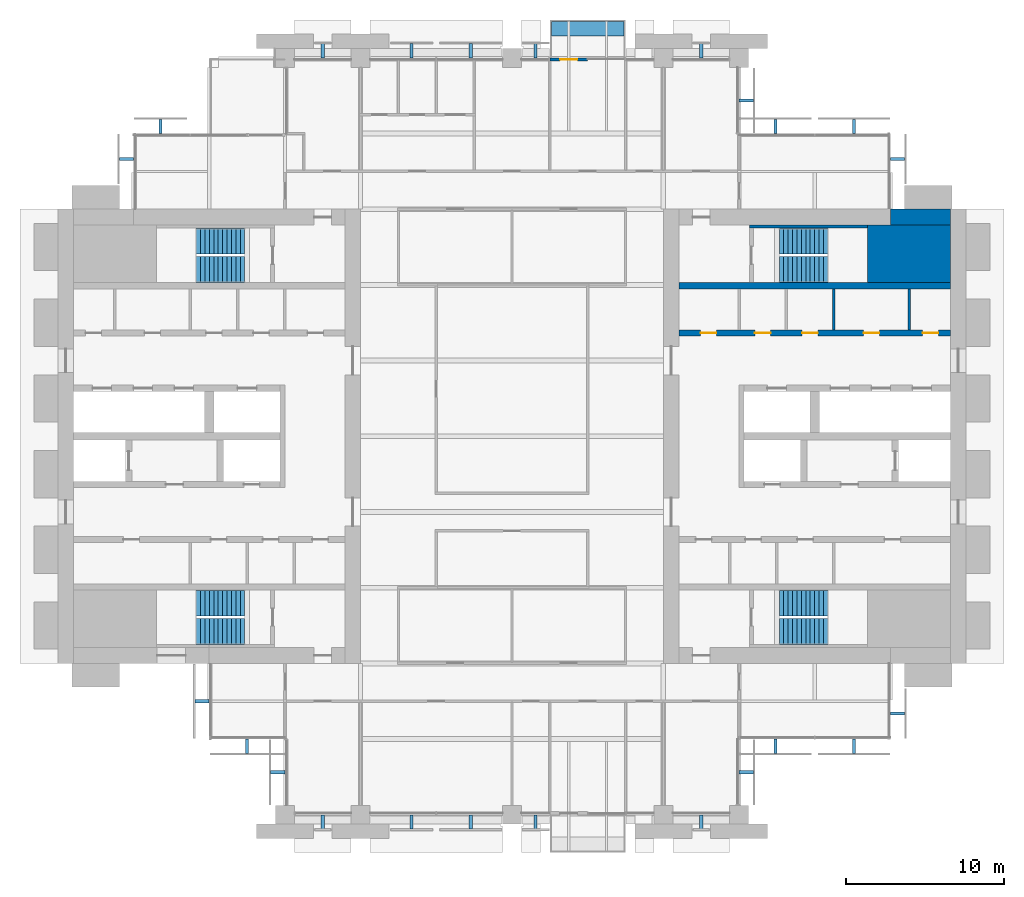
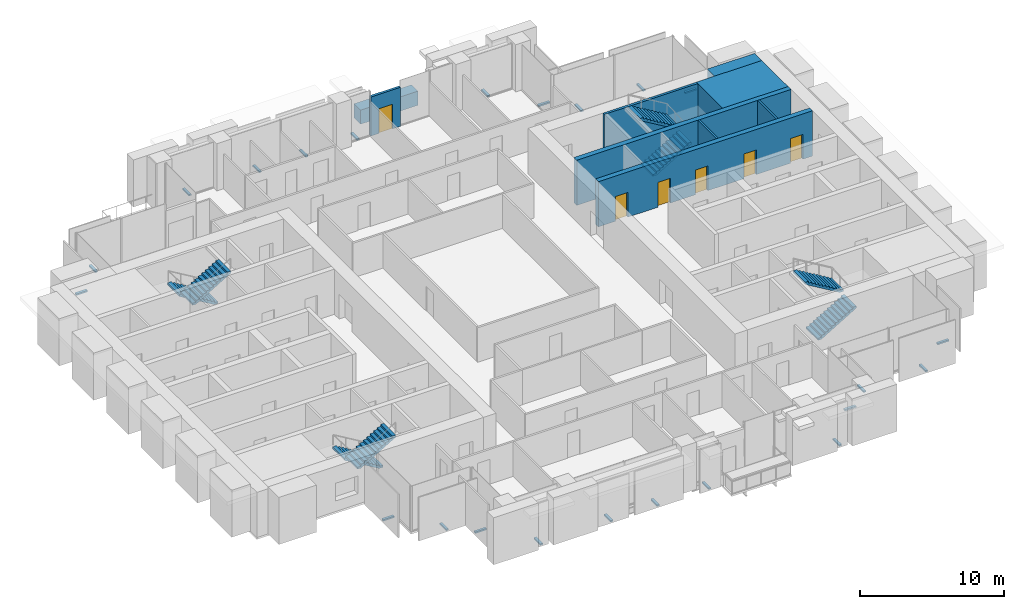
# One storey, part 13 of 15: 23 discrete accessories, 9 walls, 8 stair flights, 6 doors, 6 openings, 4 elements without a shape of their own.
"""IFC4 building model written with IfcOpenShell, lengths in metres."""

from ifc_helpers import new_model, si_unit, direction, frame, frame_2d, origin, origin_2d, place, context, subcontext, project, spatial, polyline, rectangle, outline, extrude, material, layer, layer_set, type_object, element, fill, aggregate, save


model = new_model("IFC4")

# Units and contexts
model_context = context("Model", 3, precision=1e-05, world=origin(), true_north=direction((0.0, 1.0)))
body_context = subcontext(model_context, "Body", "Model", "MODEL_VIEW")
ifc_project = project(units=[si_unit("LENGTHUNIT", "METRE"), si_unit("AREAUNIT", "SQUARE_METRE"), si_unit("VOLUMEUNIT", "CUBIC_METRE"), si_unit("PLANEANGLEUNIT", "RADIAN"), si_unit("MASSUNIT", "GRAM", prefix="KILO")], contexts=[model_context])

# Site, building, storey
site_placement = place(None, origin())
site = spatial("IfcSite", under=ifc_project, at=site_placement, CompositionType="ELEMENT")
building_placement = place(site_placement, origin())
building = spatial("IfcBuilding", under=site, at=building_placement, Name="Baori Bourse Tower", CompositionType="ELEMENT")
storey_placement = place(building_placement, frame((0.0, 0.0, 116.10009765625)))
storey = spatial("IfcBuildingStorey", under=building, at=storey_placement, Name="L24", CompositionType="ELEMENT", Elevation=116.10009765625)

# Walls
ifc_material_1 = material(Name="Concrete f'c 60 MPa", Category="concrete")
wall_type_1 = type_object("IfcWallType", Name="Core corner block f'c 60", PredefinedType="SHEAR", material=ifc_material_1)
wall_1_placement = place(storey_placement, frame((51.35009765625, 35.574951171875, 0.0), z_axis=(0.0, 0.0, 1.0), x_axis=(1.0, 0.0, 0.0)))
element("IfcWall", 1, at=wall_1_placement, inside=storey, type_object=wall_type_1, Name="Core wall E26", PredefinedType="SHEAR", context=body_context, shape_type="SweptSolid", body=[
    extrude(rectangle(XDim=5.25, YDim=3.64990234375, at=frame_2d((2.625, 0.0))), origin(), (0.0, 0.0, 1.0), 3.83984375),
])
ifc_material_2 = material(Name="Blockwork partition", Category="masonry")
ifc_layer_1 = layer(ifc_material_2, 0.14990234375)
ifc_layer_set_1 = layer_set([ifc_layer_1], Name="Core partition 150")
wall_type_2 = type_object("IfcWallType", Name="Core partition 150", PredefinedType="PARTITIONING", material=ifc_layer_set_1)
for number, where, z_axis, x_axis, name in (
    (2, (54.0, 30.75, 0.0), (0.0, 0.0, 1.0), (0.0, 1.0, 0.0), "Partition wall E21"),
    (3, (49.199951171875, 30.75, 0.0), (0.0, 0.0, 1.0), (0.0, 1.0, 0.0), "Partition wall E22"),
):
    element("IfcWall", number, at=place(storey_placement, frame(where, z_axis=z_axis, x_axis=x_axis)), inside=storey, type_object=wall_type_2, Name=name, PredefinedType="PARTITIONING", context=body_context, shape_type="SweptSolid", body=[
        extrude(rectangle(XDim=2.60009765625, YDim=0.14990234375, at=frame_2d((1.300048828125, 0.0))), origin(), (0.0, 0.0, 1.0), 3.83984375),
    ])
ifc_material_3 = material(Name="Concrete f'c 60 MPa", Category="concrete")
ifc_layer_2 = layer(ifc_material_3, 1.0)
ifc_layer_set_2 = layer_set([ifc_layer_2], Name="Core wall 1000 f'c 60")
wall_type_3 = type_object("IfcWallType", Name="Core wall 1000 f'c 60", PredefinedType="SHEAR", material=ifc_layer_set_2)
wall_2_placement = place(storey_placement, frame((52.800048828125, 37.89990234375, 0.0), z_axis=(0.0, 0.0, 1.0), x_axis=(1.0, 0.0, 0.0)))
element("IfcWall", 4, at=wall_2_placement, inside=storey, type_object=wall_type_3, Name="Core wall E29", PredefinedType="SHEAR", context=body_context, shape_type="SweptSolid", body=[
    extrude(rectangle(XDim=3.800048828125, YDim=1.0, at=frame_2d((1.89990234375, 0.0))), origin(), (0.0, 0.0, 1.0), 3.83984375),
])

# Wall, opening, door
ifc_material_4 = material(Name="Pale anodised aluminium", Category="aluminium")
ifc_layer_3 = layer(ifc_material_4, 0.199951171875)
ifc_layer_set_3 = layer_set([ifc_layer_3], Name="EW1 External wall bay")
wall_type_4 = type_object("IfcWallType", Name="EW1 External wall bay", PredefinedType="SOLIDWALL", material=ifc_layer_set_3)
wall_3_placement = place(storey_placement, frame((33.60009765625, 47.89990234375, 0.0), z_axis=(0.0, 0.0, 1.0), x_axis=(-1.0, 0.0, 0.0)))
wall_3 = element("IfcWall", 5, at=wall_3_placement, inside=storey, type_object=wall_type_4, Name="External wall bay L24 1", PredefinedType="SOLIDWALL", context=body_context, shape_type="SweptSolid", body=[
    extrude(rectangle(XDim=2.400146484375, YDim=0.199951171875, at=frame_2d((1.2001953125, 0.0))), origin(), (0.0, 0.0, 1.0), 3.314208984375),
])
opening_1_placement = place(wall_3_placement, frame((0.64990234375, 0.0, 0.0)))
opening_1 = element("IfcOpeningElement", 6, at=opening_1_placement, cuts=wall_3, Name="Opening L24-D91", PredefinedType="OPENING", context=body_context, shape_type="SweptSolid", body=[
    extrude(rectangle(XDim=1.10009765625, YDim=2.10009765625, at=frame_2d((0.550048828125, 1.050048828125))), frame((0.0, 0.10986328125, 0.0), z_axis=(0.0, -1.0, 0.0), x_axis=(1.0, 0.0, 0.0)), (0.0, 0.0, 1.0), 0.219970703125),
])
ifc_material_5 = material(Name="Pale anodised aluminium", Category="aluminium")
door_type_1 = type_object("IfcDoorType", Name="BL1 Balcony door", OperationType="SINGLE_SWING_LEFT", PredefinedType="DOOR", material=ifc_material_5)
door_1_placement = place(opening_1_placement, origin())
door_1 = element("IfcDoor", 7, at=door_1_placement, inside=storey, type_object=door_type_1, Name="Balcony door L24 1", OperationType="SINGLE_SWING_LEFT", OverallHeight=2.10009765625, OverallWidth=1.10009765625, PredefinedType="DOOR", context=body_context, shape_type="SweptSolid", body=[
    extrude(rectangle(XDim=1.10009765625, YDim=2.10009765625, at=frame_2d((0.550048828125, 1.050048828125))), frame((0.0, 0.02490234375, 0.0), z_axis=(0.0, -1.0, 0.0), x_axis=(1.0, 0.0, 0.0)), (0.0, 0.0, 1.0), 0.050048828125),
])
fill(opening_1, door_1)

# Walls
ifc_material_6 = material(Name="Concrete f'c 40 MPa", Category="concrete")
ifc_layer_4 = layer(ifc_material_6, 0.89990234375)
ifc_layer_set_4 = layer_set([ifc_layer_4], Name="PW1 Planter wall")
wall_type_5 = type_object("IfcWallType", Name="PW1 Planter wall", PredefinedType="USERDEFINED", material=ifc_layer_set_4)
wall_4_placement = place(storey_placement, frame((31.300048828125, 49.85009765625, 0.0), z_axis=(0.0, 0.0, 1.0), x_axis=(1.0, 0.0, 0.0)))
element("IfcWall", 8, at=wall_4_placement, inside=storey, type_object=wall_type_5, Name="Planter balcony N L24 2", ObjectType="PLANTER", PredefinedType="USERDEFINED", context=body_context, shape_type="SweptSolid", body=[
    extrude(rectangle(XDim=4.599853515625, YDim=0.89990234375, at=frame_2d((2.2998046875, 0.0))), origin(), (0.0, 0.0, 1.0), 1.199951171875),
])
ifc_material_7 = material(Name="Concrete f'c 60 MPa", Category="concrete")
ifc_layer_5 = layer(ifc_material_7, 0.199951171875)
ifc_layer_set_5 = layer_set([ifc_layer_5], Name="Shaft wall 200 f'c 60")
wall_type_6 = type_object("IfcWallType", Name="Shaft wall 200 f'c 60", PredefinedType="SHEAR", material=ifc_layer_set_5)
wall_5_placement = place(storey_placement, frame((43.85009765625, 37.300048828125, 0.0), z_axis=(0.0, 0.0, 1.0), x_axis=(1.0, 0.0, 0.0)))
element("IfcWall", 9, at=wall_5_placement, inside=storey, type_object=wall_type_6, Name="Core wall E28", PredefinedType="SHEAR", context=body_context, shape_type="SweptSolid", body=[
    extrude(rectangle(XDim=7.5, YDim=0.199951171875, at=frame_2d((3.75, 0.0))), origin(), (0.0, 0.0, 1.0), 3.83984375),
])

# Wall, openings, doors
ifc_material_8 = material(Name="Concrete f'c 60 MPa", Category="concrete")
ifc_layer_6 = layer(ifc_material_8, 0.39990234375)
ifc_layer_set_6 = layer_set([ifc_layer_6], Name="Shaft wall 400 f'c 60")
wall_type_7 = type_object("IfcWallType", Name="Shaft wall 400 f'c 60", PredefinedType="SHEAR", material=ifc_layer_set_6)
wall_6_placement = place(storey_placement, frame((39.39990234375, 30.550048828125, 0.0), z_axis=(0.0, 0.0, 1.0), x_axis=(1.0, 0.0, 0.0)))
wall_6 = element("IfcWall", 10, at=wall_6_placement, inside=storey, type_object=wall_type_7, Name="Core wall E20", PredefinedType="SHEAR", context=body_context, shape_type="SweptSolid", body=[
    extrude(rectangle(XDim=17.2001953125, YDim=0.39990234375, at=frame_2d((8.60009765625, 0.0))), origin(), (0.0, 0.0, 1.0), 3.83984375),
])
opening_2_placement = place(wall_6_placement, frame((15.4375, 0.0, 0.0)))
opening_2 = element("IfcOpeningElement", 11, at=opening_2_placement, cuts=wall_6, Name="Opening L24-D209", PredefinedType="OPENING", context=body_context, shape_type="SweptSolid", body=[
    extrude(rectangle(XDim=1.0, YDim=2.10009765625, at=frame_2d((0.5, 1.050048828125))), frame((0.0, 0.2099609375, 0.0), z_axis=(0.0, -1.0, 0.0), x_axis=(1.0, 0.0, 0.0)), (0.0, 0.0, 1.0), 0.419921875),
])
opening_3_placement = place(wall_6_placement, frame((11.699951171875, 0.0, 0.0)))
opening_3 = element("IfcOpeningElement", 12, at=opening_3_placement, cuts=wall_6, Name="Opening L24-D210", PredefinedType="OPENING", context=body_context, shape_type="SweptSolid", body=[
    extrude(rectangle(XDim=1.0, YDim=2.10009765625, at=frame_2d((0.5, 1.050048828125))), frame((0.0, 0.2099609375, 0.0), z_axis=(0.0, -1.0, 0.0), x_axis=(1.0, 0.0, 0.0)), (0.0, 0.0, 1.0), 0.419921875),
])
opening_4_placement = place(wall_6_placement, frame((7.800048828125, 0.0, 0.0)))
opening_4 = element("IfcOpeningElement", 13, at=opening_4_placement, cuts=wall_6, Name="Opening L24-D211", PredefinedType="OPENING", context=body_context, shape_type="SweptSolid", body=[
    extrude(rectangle(XDim=1.0, YDim=2.10009765625, at=frame_2d((0.5, 1.050048828125))), frame((0.0, 0.2099609375, 0.0), z_axis=(0.0, -1.0, 0.0), x_axis=(1.0, 0.0, 0.0)), (0.0, 0.0, 1.0), 0.419921875),
])
opening_5_placement = place(wall_6_placement, frame((4.800048828125, 0.0, 0.0)))
opening_5 = element("IfcOpeningElement", 14, at=opening_5_placement, cuts=wall_6, Name="Opening L24-D212", PredefinedType="OPENING", context=body_context, shape_type="SweptSolid", body=[
    extrude(rectangle(XDim=1.0, YDim=2.10009765625, at=frame_2d((0.5, 1.050048828125))), frame((0.0, 0.2099609375, 0.0), z_axis=(0.0, -1.0, 0.0), x_axis=(1.0, 0.0, 0.0)), (0.0, 0.0, 1.0), 0.419921875),
])
opening_6_placement = place(wall_6_placement, frame((1.362548828125, 0.0, 0.0)))
opening_6 = element("IfcOpeningElement", 15, at=opening_6_placement, cuts=wall_6, Name="Opening L24-D213", PredefinedType="OPENING", context=body_context, shape_type="SweptSolid", body=[
    extrude(rectangle(XDim=1.0, YDim=2.10009765625, at=frame_2d((0.5, 1.050048828125))), frame((0.0, 0.2099609375, 0.0), z_axis=(0.0, -1.0, 0.0), x_axis=(1.0, 0.0, 0.0)), (0.0, 0.0, 1.0), 0.419921875),
])
ifc_material_9 = material(Name="Painted steel door", Category="steel")
door_type_2 = type_object("IfcDoorType", Name="Core door 1000", OperationType="SINGLE_SWING_LEFT", PredefinedType="DOOR", material=ifc_material_9)
door_2_placement = place(opening_2_placement, origin())
door_2 = element("IfcDoor", 16, at=door_2_placement, inside=storey, type_object=door_type_2, Name="Store Room door E L24", OperationType="SINGLE_SWING_LEFT", OverallHeight=2.10009765625, OverallWidth=1.0, PredefinedType="DOOR", context=body_context, shape_type="SweptSolid", body=[
    extrude(rectangle(XDim=1.0, YDim=2.10009765625, at=frame_2d((0.5, 1.050048828125))), frame((0.0, 0.02490234375, 0.0), z_axis=(0.0, -1.0, 0.0), x_axis=(1.0, 0.0, 0.0)), (0.0, 0.0, 1.0), 0.050048828125),
])
fill(opening_2, door_2)
door_3_placement = place(opening_3_placement, origin())
door_3 = element("IfcDoor", 17, at=door_3_placement, inside=storey, type_object=door_type_2, Name="Men'S Wc door E L24", OperationType="SINGLE_SWING_LEFT", OverallHeight=2.10009765625, OverallWidth=1.0, PredefinedType="DOOR", context=body_context, shape_type="SweptSolid", body=[
    extrude(rectangle(XDim=1.0, YDim=2.10009765625, at=frame_2d((0.5, 1.050048828125))), frame((0.0, 0.02490234375, 0.0), z_axis=(0.0, -1.0, 0.0), x_axis=(1.0, 0.0, 0.0)), (0.0, 0.0, 1.0), 0.050048828125),
])
fill(opening_3, door_3)
door_4_placement = place(opening_4_placement, origin())
door_4 = element("IfcDoor", 18, at=door_4_placement, inside=storey, type_object=door_type_2, Name="Accessible Wc door E L24", OperationType="SINGLE_SWING_LEFT", OverallHeight=2.10009765625, OverallWidth=1.0, PredefinedType="DOOR", context=body_context, shape_type="SweptSolid", body=[
    extrude(rectangle(XDim=1.0, YDim=2.10009765625, at=frame_2d((0.5, 1.050048828125))), frame((0.0, 0.02490234375, 0.0), z_axis=(0.0, -1.0, 0.0), x_axis=(1.0, 0.0, 0.0)), (0.0, 0.0, 1.0), 0.050048828125),
])
fill(opening_4, door_4)
door_5_placement = place(opening_5_placement, origin())
door_5 = element("IfcDoor", 19, at=door_5_placement, inside=storey, type_object=door_type_2, Name="Janitor'S Closet door E L24", OperationType="SINGLE_SWING_LEFT", OverallHeight=2.10009765625, OverallWidth=1.0, PredefinedType="DOOR", context=body_context, shape_type="SweptSolid", body=[
    extrude(rectangle(XDim=1.0, YDim=2.10009765625, at=frame_2d((0.5, 1.050048828125))), frame((0.0, 0.02490234375, 0.0), z_axis=(0.0, -1.0, 0.0), x_axis=(1.0, 0.0, 0.0)), (0.0, 0.0, 1.0), 0.050048828125),
])
fill(opening_5, door_5)
door_6_placement = place(opening_6_placement, origin())
door_6 = element("IfcDoor", 20, at=door_6_placement, inside=storey, type_object=door_type_2, Name="Women'S Wc door E L24", OperationType="SINGLE_SWING_LEFT", OverallHeight=2.10009765625, OverallWidth=1.0, PredefinedType="DOOR", context=body_context, shape_type="SweptSolid", body=[
    extrude(rectangle(XDim=1.0, YDim=2.10009765625, at=frame_2d((0.5, 1.050048828125))), frame((0.0, 0.02490234375, 0.0), z_axis=(0.0, -1.0, 0.0), x_axis=(1.0, 0.0, 0.0)), (0.0, 0.0, 1.0), 0.050048828125),
])
fill(opening_6, door_6)

# Wall
wall_7_placement = place(storey_placement, frame((39.39990234375, 33.550048828125, 0.0), z_axis=(0.0, 0.0, 1.0), x_axis=(1.0, 0.0, 0.0)))
element("IfcWall", 21, at=wall_7_placement, inside=storey, type_object=wall_type_7, Name="Core wall E25", PredefinedType="SHEAR", context=body_context, shape_type="SweptSolid", body=[
    extrude(rectangle(XDim=17.2001953125, YDim=0.39990234375, at=frame_2d((8.60009765625, 0.0))), origin(), (0.0, 0.0, 1.0), 3.83984375),
])

# Stair, stair flights
ifc_material_10 = material(Name="Concrete f'c 50 MPa", Category="concrete")
stair_type = type_object("IfcStairType", Name="Core stair", PredefinedType="HALF_TURN_STAIR", material=ifc_material_10)
stair_1_placement = place(storey_placement, origin())
stair_1 = element("IfcStair", 22, at=stair_1_placement, inside=storey, type_object=stair_type, Name="L24 Stair WA", PredefinedType="HALF_TURN_STAIR")
ifc_material_11 = material(Name="Concrete f'c 50 MPa", Category="concrete")
stair_flight_type = type_object("IfcStairFlightType", Name="Core stair flight", PredefinedType="STRAIGHT", material=ifc_material_11)
stair_flight_1_placement = place(storey_placement, frame((11.85009765625, 13.425048828125, 0.0), z_axis=(0.0, 0.0, 1.0), x_axis=(-1.0, 0.0, 0.0)))
stair_flight_1 = element("IfcStairFlight", 23, at=stair_flight_1_placement, type_object=stair_flight_type, Name="ST1 flight 1", NumberOfRisers=12, NumberOfTreads=11, PredefinedType="STRAIGHT", RiserHeight=0.166666667, TreadLength=0.28, context=body_context, shape_type="SweptSolid", body=[
    extrude(outline(polyline([(0.0, 0.0), (0.0, 0.166748046875), (0.280029296875, 0.166748046875), (0.280029296875, 0.333251953125), (0.56005859375, 0.333251953125), (0.56005859375, 0.5), (0.840087890625, 0.5), (0.840087890625, 0.666748046875), (1.1201171875, 0.666748046875), (1.1201171875, 0.833251953125), (1.39990234375, 0.833251953125), (1.39990234375, 1.0), (1.679931640625, 1.0), (1.679931640625, 1.166748046875), (1.9599609375, 1.166748046875), (1.9599609375, 1.333251953125), (2.239990234375, 1.333251953125), (2.239990234375, 1.5), (2.52001953125, 1.5), (2.52001953125, 1.666748046875), (2.800048828125, 1.666748046875), (2.800048828125, 1.833251953125), (3.080078125, 1.833251953125), (3.080078125, 2.0), (3.080078125, 1.658935546875), (0.29296875, 0.0), (0.0, 0.0)])), frame((0.0, 0.824951171875, 0.0), z_axis=(0.0, -1.0, 0.0), x_axis=(1.0, 0.0, 0.0)), (0.0, 0.0, 1.0), 1.64990234375),
])
stair_flight_2_placement = place(storey_placement, frame((8.77001953125, 11.625, 2.0), z_axis=(0.0, 0.0, 1.0), x_axis=(1.0, 0.0, 0.0)))
stair_flight_2 = element("IfcStairFlight", 24, at=stair_flight_2_placement, type_object=stair_flight_type, Name="ST1 flight 2", NumberOfRisers=12, NumberOfTreads=11, PredefinedType="STRAIGHT", RiserHeight=0.166666667, TreadLength=0.28, context=body_context, shape_type="SweptSolid", body=[
    extrude(outline(polyline([(0.0, 0.0), (0.0, 0.166748046875), (0.280029296875, 0.166748046875), (0.280029296875, 0.333251953125), (0.56005859375, 0.333251953125), (0.56005859375, 0.5), (0.840087890625, 0.5), (0.840087890625, 0.666748046875), (1.1201171875, 0.666748046875), (1.1201171875, 0.833251953125), (1.39990234375, 0.833251953125), (1.39990234375, 1.0), (1.679931640625, 1.0), (1.679931640625, 1.166748046875), (1.9599609375, 1.166748046875), (1.9599609375, 1.333251953125), (2.239990234375, 1.333251953125), (2.239990234375, 1.5), (2.52001953125, 1.5), (2.52001953125, 1.666748046875), (2.800048828125, 1.666748046875), (2.800048828125, 1.833251953125), (3.080078125, 1.833251953125), (3.080078125, 2.0), (3.080078125, 1.658935546875), (0.29296875, 0.0), (0.0, 0.0)])), frame((0.0, 0.824951171875, 0.0), z_axis=(0.0, -1.0, 0.0), x_axis=(1.0, 0.0, 0.0)), (0.0, 0.0, 1.0), 1.64990234375),
])
aggregate(stair_1, [stair_flight_1, stair_flight_2])

stair_2_placement = place(storey_placement, origin())
stair_2 = element("IfcStair", 25, at=stair_2_placement, inside=storey, type_object=stair_type, Name="L24 Stair WB", PredefinedType="HALF_TURN_STAIR")
stair_flight_3_placement = place(storey_placement, frame((11.85009765625, 36.375, 0.0), z_axis=(0.0, 0.0, 1.0), x_axis=(-1.0, 0.0, 0.0)))
stair_flight_3 = element("IfcStairFlight", 26, at=stair_flight_3_placement, type_object=stair_flight_type, Name="ST2 flight 1", NumberOfRisers=12, NumberOfTreads=11, PredefinedType="STRAIGHT", RiserHeight=0.166666667, TreadLength=0.28, context=body_context, shape_type="SweptSolid", body=[
    extrude(outline(polyline([(0.0, 0.0), (0.0, 0.166748046875), (0.280029296875, 0.166748046875), (0.280029296875, 0.333251953125), (0.56005859375, 0.333251953125), (0.56005859375, 0.5), (0.840087890625, 0.5), (0.840087890625, 0.666748046875), (1.1201171875, 0.666748046875), (1.1201171875, 0.833251953125), (1.39990234375, 0.833251953125), (1.39990234375, 1.0), (1.679931640625, 1.0), (1.679931640625, 1.166748046875), (1.9599609375, 1.166748046875), (1.9599609375, 1.333251953125), (2.239990234375, 1.333251953125), (2.239990234375, 1.5), (2.52001953125, 1.5), (2.52001953125, 1.666748046875), (2.800048828125, 1.666748046875), (2.800048828125, 1.833251953125), (3.080078125, 1.833251953125), (3.080078125, 2.0), (3.080078125, 1.658935546875), (0.29296875, 0.0), (0.0, 0.0)])), frame((0.0, 0.824951171875, 0.0), z_axis=(0.0, -1.0, 0.0), x_axis=(1.0, 0.0, 0.0)), (0.0, 0.0, 1.0), 1.64990234375),
])
stair_flight_4_placement = place(storey_placement, frame((8.77001953125, 34.574951171875, 2.0), z_axis=(0.0, 0.0, 1.0), x_axis=(1.0, 0.0, 0.0)))
stair_flight_4 = element("IfcStairFlight", 27, at=stair_flight_4_placement, type_object=stair_flight_type, Name="ST2 flight 2", NumberOfRisers=12, NumberOfTreads=11, PredefinedType="STRAIGHT", RiserHeight=0.166666667, TreadLength=0.28, context=body_context, shape_type="SweptSolid", body=[
    extrude(outline(polyline([(0.0, 0.0), (0.0, 0.166748046875), (0.280029296875, 0.166748046875), (0.280029296875, 0.333251953125), (0.56005859375, 0.333251953125), (0.56005859375, 0.5), (0.840087890625, 0.5), (0.840087890625, 0.666748046875), (1.1201171875, 0.666748046875), (1.1201171875, 0.833251953125), (1.39990234375, 0.833251953125), (1.39990234375, 1.0), (1.679931640625, 1.0), (1.679931640625, 1.166748046875), (1.9599609375, 1.166748046875), (1.9599609375, 1.333251953125), (2.239990234375, 1.333251953125), (2.239990234375, 1.5), (2.52001953125, 1.5), (2.52001953125, 1.666748046875), (2.800048828125, 1.666748046875), (2.800048828125, 1.833251953125), (3.080078125, 1.833251953125), (3.080078125, 2.0), (3.080078125, 1.658935546875), (0.29296875, 0.0), (0.0, 0.0)])), frame((0.0, 0.824951171875, 0.0), z_axis=(0.0, -1.0, 0.0), x_axis=(1.0, 0.0, 0.0)), (0.0, 0.0, 1.0), 1.64990234375),
])
aggregate(stair_2, [stair_flight_3, stair_flight_4])

stair_3_placement = place(storey_placement, origin())
stair_3 = element("IfcStair", 28, at=stair_3_placement, inside=storey, type_object=stair_type, Name="L24 Stair EA", PredefinedType="HALF_TURN_STAIR")
stair_flight_5_placement = place(storey_placement, frame((45.75, 11.625, 0.0), z_axis=(0.0, 0.0, 1.0), x_axis=(1.0, 0.0, 0.0)))
stair_flight_5 = element("IfcStairFlight", 29, at=stair_flight_5_placement, type_object=stair_flight_type, Name="ST3 flight 1", NumberOfRisers=12, NumberOfTreads=11, PredefinedType="STRAIGHT", RiserHeight=0.166666667, TreadLength=0.28, context=body_context, shape_type="SweptSolid", body=[
    extrude(outline(polyline([(0.0, 0.0), (0.0, 0.166748046875), (0.280029296875, 0.166748046875), (0.280029296875, 0.333251953125), (0.56005859375, 0.333251953125), (0.56005859375, 0.5), (0.840087890625, 0.5), (0.840087890625, 0.666748046875), (1.1201171875, 0.666748046875), (1.1201171875, 0.833251953125), (1.39990234375, 0.833251953125), (1.39990234375, 1.0), (1.679931640625, 1.0), (1.679931640625, 1.166748046875), (1.9599609375, 1.166748046875), (1.9599609375, 1.333251953125), (2.239990234375, 1.333251953125), (2.239990234375, 1.5), (2.52001953125, 1.5), (2.52001953125, 1.666748046875), (2.800048828125, 1.666748046875), (2.800048828125, 1.833251953125), (3.080078125, 1.833251953125), (3.080078125, 2.0), (3.080078125, 1.658935546875), (0.29296875, 0.0), (0.0, 0.0)])), frame((0.0, 0.824951171875, 0.0), z_axis=(0.0, -1.0, 0.0), x_axis=(1.0, 0.0, 0.0)), (0.0, 0.0, 1.0), 1.64990234375),
])
stair_flight_6_placement = place(storey_placement, frame((48.830078125, 13.425048828125, 2.0), z_axis=(0.0, 0.0, 1.0), x_axis=(-1.0, 0.0, 0.0)))
stair_flight_6 = element("IfcStairFlight", 30, at=stair_flight_6_placement, type_object=stair_flight_type, Name="ST3 flight 2", NumberOfRisers=12, NumberOfTreads=11, PredefinedType="STRAIGHT", RiserHeight=0.166666667, TreadLength=0.28, context=body_context, shape_type="SweptSolid", body=[
    extrude(outline(polyline([(0.0, 0.0), (0.0, 0.166748046875), (0.280029296875, 0.166748046875), (0.280029296875, 0.333251953125), (0.56005859375, 0.333251953125), (0.56005859375, 0.5), (0.840087890625, 0.5), (0.840087890625, 0.666748046875), (1.1201171875, 0.666748046875), (1.1201171875, 0.833251953125), (1.39990234375, 0.833251953125), (1.39990234375, 1.0), (1.679931640625, 1.0), (1.679931640625, 1.166748046875), (1.9599609375, 1.166748046875), (1.9599609375, 1.333251953125), (2.239990234375, 1.333251953125), (2.239990234375, 1.5), (2.52001953125, 1.5), (2.52001953125, 1.666748046875), (2.800048828125, 1.666748046875), (2.800048828125, 1.833251953125), (3.080078125, 1.833251953125), (3.080078125, 2.0), (3.080078125, 1.658935546875), (0.29296875, 0.0), (0.0, 0.0)])), frame((0.0, 0.824951171875, 0.0), z_axis=(0.0, -1.0, 0.0), x_axis=(1.0, 0.0, 0.0)), (0.0, 0.0, 1.0), 1.64990234375),
])
aggregate(stair_3, [stair_flight_5, stair_flight_6])

stair_4_placement = place(storey_placement, origin())
stair_4 = element("IfcStair", 31, at=stair_4_placement, inside=storey, type_object=stair_type, Name="L24 Stair EB", PredefinedType="HALF_TURN_STAIR")
stair_flight_7_placement = place(storey_placement, frame((45.75, 34.574951171875, 0.0), z_axis=(0.0, 0.0, 1.0), x_axis=(1.0, 0.0, 0.0)))
stair_flight_7 = element("IfcStairFlight", 32, at=stair_flight_7_placement, type_object=stair_flight_type, Name="ST4 flight 1", NumberOfRisers=12, NumberOfTreads=11, PredefinedType="STRAIGHT", RiserHeight=0.166666667, TreadLength=0.28, context=body_context, shape_type="SweptSolid", body=[
    extrude(outline(polyline([(0.0, 0.0), (0.0, 0.166748046875), (0.280029296875, 0.166748046875), (0.280029296875, 0.333251953125), (0.56005859375, 0.333251953125), (0.56005859375, 0.5), (0.840087890625, 0.5), (0.840087890625, 0.666748046875), (1.1201171875, 0.666748046875), (1.1201171875, 0.833251953125), (1.39990234375, 0.833251953125), (1.39990234375, 1.0), (1.679931640625, 1.0), (1.679931640625, 1.166748046875), (1.9599609375, 1.166748046875), (1.9599609375, 1.333251953125), (2.239990234375, 1.333251953125), (2.239990234375, 1.5), (2.52001953125, 1.5), (2.52001953125, 1.666748046875), (2.800048828125, 1.666748046875), (2.800048828125, 1.833251953125), (3.080078125, 1.833251953125), (3.080078125, 2.0), (3.080078125, 1.658935546875), (0.29296875, 0.0), (0.0, 0.0)])), frame((0.0, 0.824951171875, 0.0), z_axis=(0.0, -1.0, 0.0), x_axis=(1.0, 0.0, 0.0)), (0.0, 0.0, 1.0), 1.64990234375),
])
stair_flight_8_placement = place(storey_placement, frame((48.830078125, 36.375, 2.0), z_axis=(0.0, 0.0, 1.0), x_axis=(-1.0, 0.0, 0.0)))
stair_flight_8 = element("IfcStairFlight", 33, at=stair_flight_8_placement, type_object=stair_flight_type, Name="ST4 flight 2", NumberOfRisers=12, NumberOfTreads=11, PredefinedType="STRAIGHT", RiserHeight=0.166666667, TreadLength=0.28, context=body_context, shape_type="SweptSolid", body=[
    extrude(outline(polyline([(0.0, 0.0), (0.0, 0.166748046875), (0.280029296875, 0.166748046875), (0.280029296875, 0.333251953125), (0.56005859375, 0.333251953125), (0.56005859375, 0.5), (0.840087890625, 0.5), (0.840087890625, 0.666748046875), (1.1201171875, 0.666748046875), (1.1201171875, 0.833251953125), (1.39990234375, 0.833251953125), (1.39990234375, 1.0), (1.679931640625, 1.0), (1.679931640625, 1.166748046875), (1.9599609375, 1.166748046875), (1.9599609375, 1.333251953125), (2.239990234375, 1.333251953125), (2.239990234375, 1.5), (2.52001953125, 1.5), (2.52001953125, 1.666748046875), (2.800048828125, 1.666748046875), (2.800048828125, 1.833251953125), (3.080078125, 1.833251953125), (3.080078125, 2.0), (3.080078125, 1.658935546875), (0.29296875, 0.0), (0.0, 0.0)])), frame((0.0, 0.824951171875, 0.0), z_axis=(0.0, -1.0, 0.0), x_axis=(1.0, 0.0, 0.0)), (0.0, 0.0, 1.0), 1.64990234375),
])
aggregate(stair_4, [stair_flight_7, stair_flight_8])

# Discrete accessories
ifc_material_12 = material(Name="Pale anodised aluminium", Category="aluminium")
discrete_accessory_type = type_object("IfcDiscreteAccessoryType", Name="OS2 Outer skin bracket", PredefinedType="BRACKET", material=ifc_material_12)
for number, where, z_axis, x_axis, name in (
    (34, (53.25, 41.574951171875, -0.14404296875), (0.0, 0.0, 1.0), (0.0, 1.0, 0.0), "Outer skin bracket L24 1"),
    (35, (50.487548828125, 43.64990234375, -0.14404296875), (0.0, 0.0, 1.0), (-1.0, 0.0, 0.0), "Outer skin bracket L24 2"),
    (36, (45.512451171875, 43.64990234375, -0.14404296875), (0.0, 0.0, 1.0), (-1.0, 0.0, 0.0), "Outer skin bracket L24 3"),
    (37, (43.64990234375, 45.300048828125, -0.14404296875), (0.0, 0.0, 1.0), (0.0, 1.0, 0.0), "Outer skin bracket L24 4"),
    (38, (40.800048828125, 48.449951171875, -0.14404296875), (0.0, 0.0, 1.0), (-1.0, 0.0, 0.0), "Outer skin bracket L24 5"),
    (39, (30.300048828125, 48.449951171875, -0.14404296875), (0.0, 0.0, 1.0), (-1.0, 0.0, 0.0), "Outer skin bracket L24 6"),
    (40, (26.1875, 48.449951171875, -0.14404296875), (0.0, 0.0, 1.0), (-1.0, 0.0, 0.0), "Outer skin bracket L24 7"),
    (41, (22.4375, 48.449951171875, -0.14404296875), (0.0, 0.0, 1.0), (-1.0, 0.0, 0.0), "Outer skin bracket L24 8"),
    (42, (16.800048828125, 48.449951171875, -0.14404296875), (0.0, 0.0, 1.0), (-1.0, 0.0, 0.0), "Outer skin bracket L24 9"),
    (43, (6.512451171875, 43.64990234375, -0.14404296875), (0.0, 0.0, 1.0), (-1.0, 0.0, 0.0), "Outer skin bracket L24 10"),
    (44, (4.35009765625, 41.574951171875, -0.14404296875), (0.0, 0.0, 1.0), (0.0, -1.0, 0.0), "Outer skin bracket L24 11"),
    (45, (9.14990234375, 7.199951171875, -0.14404296875), (0.0, 0.0, 1.0), (0.0, -1.0, 0.0), "Outer skin bracket L24 12"),
    (46, (12.0, 4.35009765625, -0.14404296875), (0.0, 0.0, 1.0), (1.0, 0.0, 0.0), "Outer skin bracket L24 13"),
    (47, (13.949951171875, 2.699951171875, -0.14404296875), (0.0, 0.0, 1.0), (0.0, -1.0, 0.0), "Outer skin bracket L24 14"),
    (48, (16.800048828125, -0.449951171875, -0.14404296875), (0.0, 0.0, 1.0), (1.0, 0.0, 0.0), "Outer skin bracket L24 15"),
    (49, (22.4375, -0.449951171875, -0.14404296875), (0.0, 0.0, 1.0), (1.0, 0.0, 0.0), "Outer skin bracket L24 16"),
    (50, (26.1875, -0.449951171875, -0.14404296875), (0.0, 0.0, 1.0), (1.0, 0.0, 0.0), "Outer skin bracket L24 17"),
    (51, (30.300048828125, -0.449951171875, -0.14404296875), (0.0, 0.0, 1.0), (1.0, 0.0, 0.0), "Outer skin bracket L24 18"),
    (52, (40.800048828125, -0.449951171875, -0.14404296875), (0.0, 0.0, 1.0), (1.0, 0.0, 0.0), "Outer skin bracket L24 19"),
    (53, (43.64990234375, 2.699951171875, -0.14404296875), (0.0, 0.0, 1.0), (0.0, 1.0, 0.0), "Outer skin bracket L24 20"),
    (54, (45.512451171875, 4.35009765625, -0.14404296875), (0.0, 0.0, 1.0), (1.0, 0.0, 0.0), "Outer skin bracket L24 21"),
    (55, (50.487548828125, 4.35009765625, -0.14404296875), (0.0, 0.0, 1.0), (1.0, 0.0, 0.0), "Outer skin bracket L24 22"),
    (56, (53.25, 6.425048828125, -0.14404296875), (0.0, 0.0, 1.0), (0.0, 1.0, 0.0), "Outer skin bracket L24 23"),
):
    element("IfcDiscreteAccessory", number, at=place(storey_placement, frame(where, z_axis=z_axis, x_axis=x_axis)), inside=storey, type_object=discrete_accessory_type, Name=name, PredefinedType="BRACKET", context=body_context, shape_type="SweptSolid", body=[
        extrude(rectangle(XDim=0.199951171875, YDim=0.89990234375, at=origin_2d()), origin(), (0.0, 0.0, 1.0), 0.1279296875),
    ])

save(model, "model.ifc")
